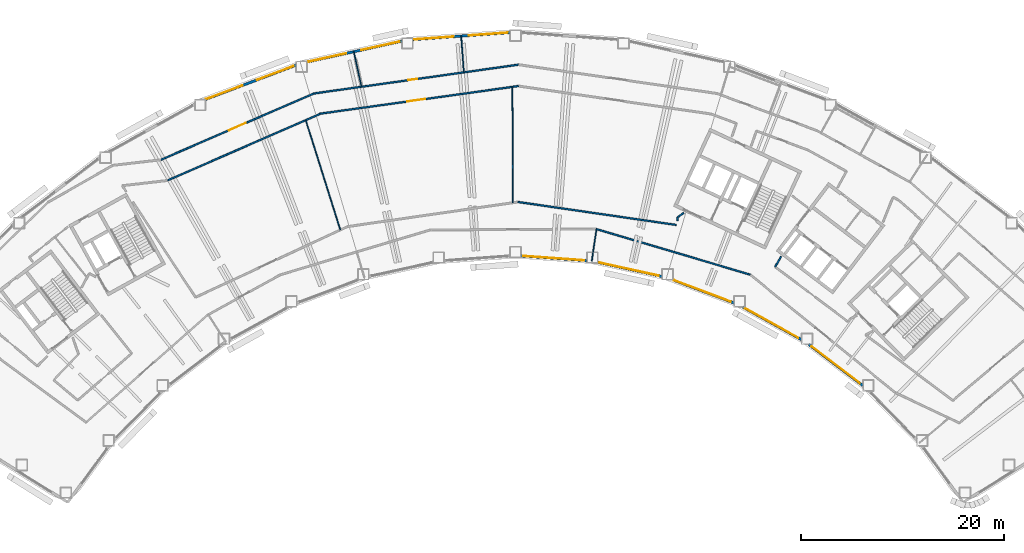
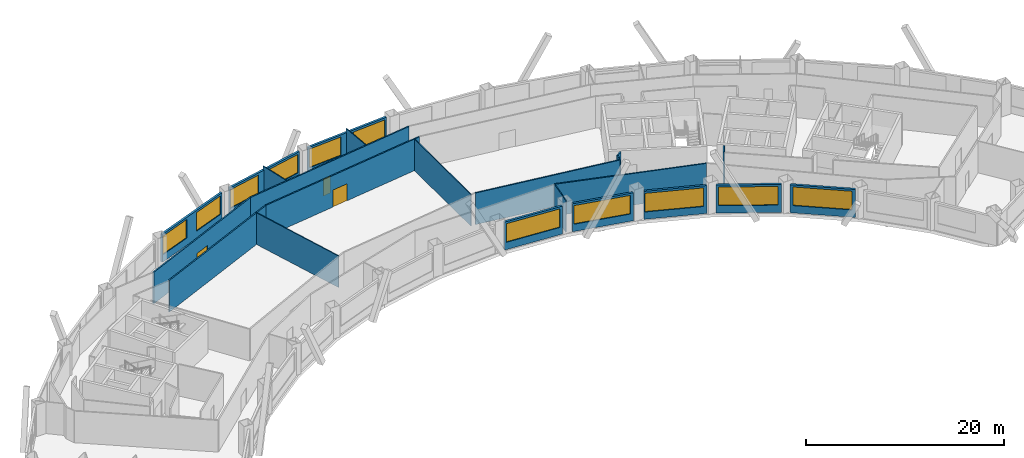
# One storey, part 5 of 11: 22 walls, 11 windows, 3 doors, 14 openings.
"""IFC4 building model written with IfcOpenShell, lengths in metres."""

from ifc_helpers import new_model, si_unit, direction, frame, frame_2d, origin, place, context, subcontext, project, spatial, rectangle, extrude, material, layer, layer_set, type_object, element, fill, save


model = new_model("IFC4")

# Units and contexts
model_context = context("Model", 3, precision=1e-05, world=origin(), true_north=direction((0.0, 1.0)))
body_context = subcontext(model_context, "Body", "Model", "MODEL_VIEW")
ifc_project = project(units=[si_unit("LENGTHUNIT", "METRE"), si_unit("AREAUNIT", "SQUARE_METRE"), si_unit("VOLUMEUNIT", "CUBIC_METRE"), si_unit("PLANEANGLEUNIT", "RADIAN"), si_unit("MASSUNIT", "GRAM", prefix="KILO")], contexts=[model_context])

# Site, building, storey
site_placement = place(None, origin())
site = spatial("IfcSite", under=ifc_project, at=site_placement, CompositionType="ELEMENT")
building_placement = place(site_placement, origin())
building = spatial("IfcBuilding", under=site, at=building_placement, Name="Tuul Gate Civic Tower", CompositionType="ELEMENT")
storey_placement = place(building_placement, frame((0.0, 0.0, 99.300048828125)))
storey = spatial("IfcBuildingStorey", under=building, at=storey_placement, Name="Level 22", CompositionType="ELEMENT", Elevation=99.300048828125)

# Wall, opening, door
ifc_material_1 = material(Name="Gypsum board partition")
ifc_layer_1 = layer(ifc_material_1, 0.14990234375)
ifc_layer_set_1 = layer_set([ifc_layer_1], Name="Gypsum board partition")
wall_type_1 = type_object("IfcWallType", Name="Corridor wall P150", PredefinedType="PARTITIONING", material=ifc_layer_set_1)
wall_1_placement = place(storey_placement, frame((-10.03125, 7.966796875, 0.0), z_axis=(0.0, 0.0, 1.0), x_axis=(0.990230655187, 0.139439053098, 0.0)))
wall_1 = element("IfcWall", 1, at=wall_1_placement, inside=storey, type_object=wall_type_1, Name="p013", PredefinedType="PARTITIONING", context=body_context, shape_type="SweptSolid", body=[
    extrude(rectangle(XDim=20.3662109375, YDim=0.14990234375, at=frame_2d((10.18310546875, 0.0))), origin(), (0.0, 0.0, 1.0), 3.89990234375),
])
opening_1_placement = place(wall_1_placement, frame((9.3759765625, 0.0, 0.0)))
opening_1 = element("IfcOpeningElement", 2, at=opening_1_placement, cuts=wall_1, Name="Opening G-D06", PredefinedType="OPENING", context=body_context, shape_type="SweptSolid", body=[
    extrude(rectangle(XDim=0.89990234375, YDim=2.10009765625, at=frame_2d((0.449951171875, 1.050048828125))), frame((0.0, 0.0849609375, 0.0), z_axis=(0.0, -1.0, 0.0), x_axis=(1.0, 0.0, 0.0)), (0.0, 0.0, 1.0), 0.169921875),
])
ifc_material_2 = material(Name="Timber door leaf", Category="wood")
door_type_1 = type_object("IfcDoorType", Name="Door D09", OperationType="NOTDEFINED", PredefinedType="DOOR", material=ifc_material_2)
door_1_placement = place(opening_1_placement, origin())
door_1 = element("IfcDoor", 3, at=door_1_placement, inside=storey, type_object=door_type_1, Name="Door G-D06", OperationType="SINGLE_SWING_RIGHT", OverallHeight=2.10009765625, OverallWidth=0.89990234375, PredefinedType="DOOR", context=body_context, shape_type="SweptSolid", body=[
    extrude(rectangle(XDim=0.89990234375, YDim=2.10009765625, at=frame_2d((0.449951171875, 1.050048828125))), frame((0.0, 0.02490234375, 0.0), z_axis=(0.0, -1.0, 0.0), x_axis=(1.0, 0.0, 0.0)), (0.0, 0.0, 1.0), 0.050048828125),
])
fill(opening_1, door_1)

wall_2_placement = place(storey_placement, frame((-25.114013671875, 1.4306640625, 0.0), z_axis=(0.0, 0.0, 1.0), x_axis=(0.917549664904, 0.397621192134, 0.0)))
wall_2 = element("IfcWall", 4, at=wall_2_placement, inside=storey, type_object=wall_type_1, Name="p018", PredefinedType="PARTITIONING", context=body_context, shape_type="SweptSolid", body=[
    extrude(rectangle(XDim=16.43798828125, YDim=0.14990234375, at=frame_2d((8.218994140625, 0.0))), origin(), (0.0, 0.0, 1.0), 3.89990234375),
])
opening_2_placement = place(wall_2_placement, frame((7.319091796875, 0.0, 0.0)))
opening_2 = element("IfcOpeningElement", 5, at=opening_2_placement, cuts=wall_2, Name="Opening G-D07", PredefinedType="OPENING", context=body_context, shape_type="SweptSolid", body=[
    extrude(rectangle(XDim=1.800048828125, YDim=2.10009765625, at=frame_2d((0.89990234375, 1.050048828125))), frame((0.0, 0.0849609375, 0.0), z_axis=(0.0, -1.0, 0.0), x_axis=(1.0, 0.0, 0.0)), (0.0, 0.0, 1.0), 0.169921875),
])
ifc_material_3 = material(Name="Timber door leaf, double", Category="wood")
door_type_2 = type_object("IfcDoorType", Name="Door D18", OperationType="DOUBLE_DOOR_SINGLE_SWING", PredefinedType="DOOR", material=ifc_material_3)
door_2_placement = place(opening_2_placement, origin())
door_2 = element("IfcDoor", 6, at=door_2_placement, inside=storey, type_object=door_type_2, Name="Door G-D07", OperationType="DOUBLE_DOOR_SINGLE_SWING", OverallHeight=2.10009765625, OverallWidth=1.800048828125, PredefinedType="DOOR", context=body_context, shape_type="SweptSolid", body=[
    extrude(rectangle(XDim=1.800048828125, YDim=2.10009765625, at=frame_2d((0.89990234375, 1.050048828125))), frame((0.0, 0.02490234375, 0.0), z_axis=(0.0, -1.0, 0.0), x_axis=(1.0, 0.0, 0.0)), (0.0, 0.0, 1.0), 0.050048828125),
])
fill(opening_2, door_2)

# Walls
wall_3_placement = place(storey_placement, frame((17.774658203125, -5.38818359375, 0.0), z_axis=(0.0, 0.0, 1.0), x_axis=(0.958822841895, -0.284004855346, 0.0)))
element("IfcWall", 7, at=wall_3_placement, inside=storey, type_object=wall_type_1, Name="p028", PredefinedType="PARTITIONING", context=body_context, shape_type="SweptSolid", body=[
    extrude(rectangle(XDim=15.833740234375, YDim=0.14990234375, at=frame_2d((7.9169921875, 0.0))), origin(), (0.0, 0.0, 1.0), 3.89990234375),
])
wall_4_placement = place(storey_placement, frame((35.427490234375, -9.109375, 0.0), z_axis=(0.0, 0.0, 1.0), x_axis=(0.500944847429, 0.865479208205, 0.0)))
element("IfcWall", 8, at=wall_4_placement, inside=storey, type_object=wall_type_1, Name="p052", PredefinedType="PARTITIONING", context=body_context, shape_type="SweptSolid", body=[
    extrude(rectangle(XDim=1.157958984375, YDim=0.14990234375, at=frame_2d((0.5791015625, 0.0))), origin(), (0.0, 0.0, 1.0), 3.89990234375),
])

# Wall, opening, door
wall_5_placement = place(storey_placement, frame((-9.43798828125, 5.972412109375, 0.0), z_axis=(0.0, 0.0, 1.0), x_axis=(0.990422425741, 0.138070339284, 0.0)))
wall_5 = element("IfcWall", 9, at=wall_5_placement, inside=storey, type_object=wall_type_1, Name="p063", PredefinedType="PARTITIONING", context=body_context, shape_type="SweptSolid", body=[
    extrude(rectangle(XDim=19.76171875, YDim=0.14990234375, at=frame_2d((9.880859375, 0.0))), origin(), (0.0, 0.0, 1.0), 3.89990234375),
])
opening_3_placement = place(wall_5_placement, frame((8.675048828125, 0.0, 0.0)))
opening_3 = element("IfcOpeningElement", 10, at=opening_3_placement, cuts=wall_5, Name="Opening G-D18", PredefinedType="OPENING", context=body_context, shape_type="SweptSolid", body=[
    extrude(rectangle(XDim=1.800048828125, YDim=2.10009765625, at=frame_2d((0.89990234375, 1.050048828125))), frame((0.0, 0.0849609375, 0.0), z_axis=(0.0, -1.0, 0.0), x_axis=(1.0, 0.0, 0.0)), (0.0, 0.0, 1.0), 0.169921875),
])
door_3_placement = place(opening_3_placement, frame((1.800048828125, 0.0, 0.0), z_axis=(0.0, 0.0, 1.0), x_axis=(-1.0, 0.0, 0.0)))
door_3 = element("IfcDoor", 11, at=door_3_placement, inside=storey, type_object=door_type_2, Name="Door G-D18", OperationType="DOUBLE_DOOR_SINGLE_SWING", OverallHeight=2.10009765625, OverallWidth=1.800048828125, PredefinedType="DOOR", context=body_context, shape_type="SweptSolid", body=[
    extrude(rectangle(XDim=1.800048828125, YDim=2.10009765625, at=frame_2d((0.900146484375, 1.050048828125))), frame((0.0, 0.02490234375, 0.0), z_axis=(0.0, -1.0, 0.0), x_axis=(1.0, 0.0, 0.0)), (0.0, 0.0, 1.0), 0.050048828125),
])
fill(opening_3, door_3)

# Walls
wall_6_placement = place(storey_placement, frame((25.815673828125, -4.220703125, 0.0), z_axis=(0.0, 0.0, 1.0), x_axis=(0.823771765615, 0.566921580269, 0.0)))
element("IfcWall", 12, at=wall_6_placement, inside=storey, type_object=wall_type_1, Name="p066", PredefinedType="PARTITIONING", context=body_context, shape_type="SweptSolid", body=[
    extrude(rectangle(XDim=0.738525390625, YDim=0.14990234375, at=frame_2d((0.369140625, 0.0))), origin(), (0.0, 0.0, 1.0), 3.89990234375),
])
wall_7_placement = place(storey_placement, frame((25.77783203125, -4.591064453125, 0.0), z_axis=(0.0, 0.0, 1.0), x_axis=(0.101646140931, 0.994820618018, 0.0)))
element("IfcWall", 13, at=wall_7_placement, inside=storey, type_object=wall_type_1, Name="p067", PredefinedType="PARTITIONING", context=body_context, shape_type="SweptSolid", body=[
    extrude(rectangle(XDim=0.372314453125, YDim=0.14990234375, at=frame_2d((0.18603515625, 0.0))), origin(), (0.0, 0.0, 1.0), 3.89990234375),
])
wall_8_placement = place(storey_placement, frame((10.072998046875, -2.72412109375, 0.0), z_axis=(0.0, 0.0, 1.0), x_axis=(0.989619242557, -0.14371414252, 0.0)))
element("IfcWall", 14, at=wall_8_placement, inside=storey, type_object=wall_type_1, Name="p068", PredefinedType="PARTITIONING", context=body_context, shape_type="SweptSolid", body=[
    extrude(rectangle(XDim=15.754638671875, YDim=0.14990234375, at=frame_2d((7.87744140625, 0.0))), origin(), (0.0, 0.0, 1.0), 3.89990234375),
])
wall_9_placement = place(storey_placement, frame((-24.46728515625, -0.602294921875, 0.0), z_axis=(0.0, 0.0, 1.0), x_axis=(0.916758742083, 0.399441370935, 0.0)))
element("IfcWall", 15, at=wall_9_placement, inside=storey, type_object=wall_type_1, Name="p071", PredefinedType="PARTITIONING", context=body_context, shape_type="SweptSolid", body=[
    extrude(rectangle(XDim=16.3974609375, YDim=0.14990234375, at=frame_2d((8.19873046875, 0.0))), origin(), (0.0, 0.0, 1.0), 3.89990234375),
])

# Wall, openings, windows
ifc_material_4 = material(Name="Precast concrete C40/50", Category="concrete")
ifc_layer_2 = layer(ifc_material_4, 0.25)
ifc_layer_set_2 = layer_set([ifc_layer_2], Name="Precast concrete C40/50")
wall_type_2 = type_object("IfcWallType", Name="External wall", PredefinedType="STANDARD", material=ifc_layer_set_2)
wall_10_placement = place(storey_placement, frame((9.279052734375, 13.972900390625, 0.0), z_axis=(0.0, 0.0, 1.0), x_axis=(-0.99738031898, -0.072336016692, 0.0)))
wall_10 = element("IfcWall", 16, at=wall_10_placement, inside=storey, type_object=wall_type_2, Name="External wall", PredefinedType="STANDARD", context=body_context, shape_type="SweptSolid", body=[
    extrude(rectangle(XDim=9.5751953125, YDim=0.25, at=frame_2d((4.78759765625, 0.0))), origin(), (0.0, 0.0, 1.0), 3.449951171875),
])
opening_4_placement = place(wall_10_placement, frame((0.2001953125, 0.0, 0.89990234375)))
opening_4 = element("IfcOpeningElement", 17, at=opening_4_placement, cuts=wall_10, Name="Opening W22", PredefinedType="OPENING", context=body_context, shape_type="SweptSolid", body=[
    extrude(rectangle(XDim=3.85009765625, YDim=2.300048828125, at=frame_2d((1.925048828125, 1.14990234375))), frame((0.0, 0.135009765625, 0.0), z_axis=(0.0, -1.0, 0.0), x_axis=(1.0, 0.0, 0.0)), (0.0, 0.0, 1.0), 0.27001953125),
])
opening_5_placement = place(wall_10_placement, frame((5.57177734375, 0.0, 0.89990234375)))
opening_5 = element("IfcOpeningElement", 18, at=opening_5_placement, cuts=wall_10, Name="Opening W22", PredefinedType="OPENING", context=body_context, shape_type="SweptSolid", body=[
    extrude(rectangle(XDim=3.85009765625, YDim=2.300048828125, at=frame_2d((1.925048828125, 1.14990234375))), frame((0.0, 0.135009765625, 0.0), z_axis=(0.0, -1.0, 0.0), x_axis=(1.0, 0.0, 0.0)), (0.0, 0.0, 1.0), 0.27001953125),
])
ifc_material_5 = material(Name="Glass", Category="glass")
window_type_1 = type_object("IfcWindowType", Name="Window W22 3850 x 2300", PartitioningType="SINGLE_PANEL", PredefinedType="WINDOW", material=ifc_material_5)
window_1_placement = place(opening_4_placement, origin())
window_1 = element("IfcWindow", 19, at=window_1_placement, inside=storey, type_object=window_type_1, Name="Window", OverallHeight=2.300048828125, OverallWidth=3.85009765625, PartitioningType="SINGLE_PANEL", PredefinedType="WINDOW", context=body_context, shape_type="SweptSolid", body=[
    extrude(rectangle(XDim=3.85009765625, YDim=2.300048828125, at=frame_2d((1.925048828125, 1.14990234375))), frame((0.0, 0.030029296875, 0.0), z_axis=(0.0, -1.0, 0.0), x_axis=(1.0, 0.0, 0.0)), (0.0, 0.0, 1.0), 0.06005859375),
])
fill(opening_4, window_1)
window_2_placement = place(opening_5_placement, origin())
window_2 = element("IfcWindow", 20, at=window_2_placement, inside=storey, type_object=window_type_1, Name="Window", OverallHeight=2.300048828125, OverallWidth=3.85009765625, PartitioningType="SINGLE_PANEL", PredefinedType="WINDOW", context=body_context, shape_type="SweptSolid", body=[
    extrude(rectangle(XDim=3.85009765625, YDim=2.300048828125, at=frame_2d((1.925048828125, 1.14990234375))), frame((0.0, 0.030029296875, 0.0), z_axis=(0.0, -1.0, 0.0), x_axis=(1.0, 0.0, 0.0)), (0.0, 0.0, 1.0), 0.06005859375),
])
fill(opening_5, window_2)

wall_11_placement = place(storey_placement, frame((-1.37109375, 13.126220703125, 0.0), z_axis=(0.0, 0.0, 1.0), x_axis=(-0.976556736289, -0.215260170047, 0.0)))
wall_11 = element("IfcWall", 21, at=wall_11_placement, inside=storey, type_object=wall_type_2, Name="External wall", PredefinedType="STANDARD", context=body_context, shape_type="SweptSolid", body=[
    extrude(rectangle(XDim=9.55078125, YDim=0.25, at=frame_2d((4.775390625, 0.0))), origin(), (0.0, 0.0, 1.0), 3.449951171875),
])
opening_6_placement = place(wall_11_placement, frame((0.236328125, 0.0, 0.89990234375)))
opening_6 = element("IfcOpeningElement", 22, at=opening_6_placement, cuts=wall_11, Name="Opening W22", PredefinedType="OPENING", context=body_context, shape_type="SweptSolid", body=[
    extrude(rectangle(XDim=3.85009765625, YDim=2.300048828125, at=frame_2d((1.925048828125, 1.14990234375))), frame((0.0, 0.135009765625, 0.0), z_axis=(0.0, -1.0, 0.0), x_axis=(1.0, 0.0, 0.0)), (0.0, 0.0, 1.0), 0.27001953125),
])
opening_7_placement = place(wall_11_placement, frame((5.607177734375, 0.0, 0.89990234375)))
opening_7 = element("IfcOpeningElement", 23, at=opening_7_placement, cuts=wall_11, Name="Opening W22", PredefinedType="OPENING", context=body_context, shape_type="SweptSolid", body=[
    extrude(rectangle(XDim=3.85009765625, YDim=2.300048828125, at=frame_2d((1.925048828125, 1.14990234375))), frame((0.0, 0.135009765625, 0.0), z_axis=(0.0, -1.0, 0.0), x_axis=(1.0, 0.0, 0.0)), (0.0, 0.0, 1.0), 0.27001953125),
])
window_3_placement = place(opening_6_placement, origin())
window_3 = element("IfcWindow", 24, at=window_3_placement, inside=storey, type_object=window_type_1, Name="Window", OverallHeight=2.300048828125, OverallWidth=3.85009765625, PartitioningType="SINGLE_PANEL", PredefinedType="WINDOW", context=body_context, shape_type="SweptSolid", body=[
    extrude(rectangle(XDim=3.85009765625, YDim=2.300048828125, at=frame_2d((1.925048828125, 1.14990234375))), frame((0.0, 0.030029296875, 0.0), z_axis=(0.0, -1.0, 0.0), x_axis=(1.0, 0.0, 0.0)), (0.0, 0.0, 1.0), 0.06005859375),
])
fill(opening_6, window_3)
window_4_placement = place(opening_7_placement, origin())
window_4 = element("IfcWindow", 25, at=window_4_placement, inside=storey, type_object=window_type_1, Name="Window", OverallHeight=2.300048828125, OverallWidth=3.85009765625, PartitioningType="SINGLE_PANEL", PredefinedType="WINDOW", context=body_context, shape_type="SweptSolid", body=[
    extrude(rectangle(XDim=3.85009765625, YDim=2.300048828125, at=frame_2d((1.925048828125, 1.14990234375))), frame((0.0, 0.030029296875, 0.0), z_axis=(0.0, -1.0, 0.0), x_axis=(1.0, 0.0, 0.0)), (0.0, 0.0, 1.0), 0.06005859375),
])
fill(opening_7, window_4)

wall_12_placement = place(storey_placement, frame((-11.798095703125, 10.755859375, 0.0), z_axis=(0.0, 0.0, 1.0), x_axis=(-0.935382365762, -0.353637992617, 0.0)))
wall_12 = element("IfcWall", 26, at=wall_12_placement, inside=storey, type_object=wall_type_2, Name="External wall", PredefinedType="STANDARD", context=body_context, shape_type="SweptSolid", body=[
    extrude(rectangle(XDim=9.51806640625, YDim=0.25, at=frame_2d((4.759033203125, 0.0))), origin(), (0.0, 0.0, 1.0), 3.449951171875),
])
opening_8_placement = place(wall_12_placement, frame((0.262451171875, 0.0, 0.89990234375)))
opening_8 = element("IfcOpeningElement", 27, at=opening_8_placement, cuts=wall_12, Name="Opening W22", PredefinedType="OPENING", context=body_context, shape_type="SweptSolid", body=[
    extrude(rectangle(XDim=3.85009765625, YDim=2.300048828125, at=frame_2d((1.925048828125, 1.14990234375))), frame((0.0, 0.135009765625, 0.0), z_axis=(0.0, -1.0, 0.0), x_axis=(1.0, 0.0, 0.0)), (0.0, 0.0, 1.0), 0.27001953125),
])
opening_9_placement = place(wall_12_placement, frame((5.634033203125, 0.0, 0.89990234375)))
opening_9 = element("IfcOpeningElement", 28, at=opening_9_placement, cuts=wall_12, Name="Opening W22", PredefinedType="OPENING", context=body_context, shape_type="SweptSolid", body=[
    extrude(rectangle(XDim=3.85009765625, YDim=2.300048828125, at=frame_2d((1.925048828125, 1.14990234375))), frame((0.0, 0.135009765625, 0.0), z_axis=(0.0, -1.0, 0.0), x_axis=(1.0, 0.0, 0.0)), (0.0, 0.0, 1.0), 0.27001953125),
])
window_5_placement = place(opening_8_placement, origin())
window_5 = element("IfcWindow", 29, at=window_5_placement, inside=storey, type_object=window_type_1, Name="Window", OverallHeight=2.300048828125, OverallWidth=3.85009765625, PartitioningType="SINGLE_PANEL", PredefinedType="WINDOW", context=body_context, shape_type="SweptSolid", body=[
    extrude(rectangle(XDim=3.85009765625, YDim=2.300048828125, at=frame_2d((1.925048828125, 1.14990234375))), frame((0.0, 0.030029296875, 0.0), z_axis=(0.0, -1.0, 0.0), x_axis=(1.0, 0.0, 0.0)), (0.0, 0.0, 1.0), 0.06005859375),
])
fill(opening_8, window_5)
window_6_placement = place(opening_9_placement, origin())
window_6 = element("IfcWindow", 30, at=window_6_placement, inside=storey, type_object=window_type_1, Name="Window", OverallHeight=2.300048828125, OverallWidth=3.85009765625, PartitioningType="SINGLE_PANEL", PredefinedType="WINDOW", context=body_context, shape_type="SweptSolid", body=[
    extrude(rectangle(XDim=3.85009765625, YDim=2.300048828125, at=frame_2d((1.925048828125, 1.14990234375))), frame((0.0, 0.030029296875, 0.0), z_axis=(0.0, -1.0, 0.0), x_axis=(1.0, 0.0, 0.0)), (0.0, 0.0, 1.0), 0.06005859375),
])
fill(opening_9, window_6)

# Wall, opening, window
wall_13_placement = place(storey_placement, frame((10.37890625, -8.035400390625, 0.0), z_axis=(0.0, 0.0, 1.0), x_axis=(0.997392965156, -0.072161437464, 0.0)))
wall_13 = element("IfcWall", 31, at=wall_13_placement, inside=storey, type_object=wall_type_2, Name="External wall", PredefinedType="STANDARD", context=body_context, shape_type="SweptSolid", body=[
    extrude(rectangle(XDim=6.489013671875, YDim=0.25, at=frame_2d((3.24462890625, 0.0))), origin(), (0.0, 0.0, 1.0), 3.449951171875),
])
opening_10_placement = place(wall_13_placement, frame((0.220947265625, 0.0, 0.89990234375)))
opening_10 = element("IfcOpeningElement", 32, at=opening_10_placement, cuts=wall_13, Name="Opening W26", PredefinedType="OPENING", context=body_context, shape_type="SweptSolid", body=[
    extrude(rectangle(XDim=6.0, YDim=2.300048828125, at=frame_2d((3.0, 1.14990234375))), frame((0.0, 0.135009765625, 0.0), z_axis=(0.0, -1.0, 0.0), x_axis=(1.0, 0.0, 0.0)), (0.0, 0.0, 1.0), 0.27001953125),
])
ifc_material_6 = material(Name="Glass", Category="glass")
window_type_2 = type_object("IfcWindowType", Name="Window W26 6000 x 2300", PartitioningType="SINGLE_PANEL", PredefinedType="WINDOW", material=ifc_material_6)
window_7_placement = place(opening_10_placement, origin())
window_7 = element("IfcWindow", 33, at=window_7_placement, inside=storey, type_object=window_type_2, Name="Window", OverallHeight=2.300048828125, OverallWidth=6.0, PartitioningType="SINGLE_PANEL", PredefinedType="WINDOW", context=body_context, shape_type="SweptSolid", body=[
    extrude(rectangle(XDim=6.0, YDim=2.300048828125, at=frame_2d((3.0, 1.14990234375))), frame((0.0, 0.030029296875, 0.0), z_axis=(0.0, -1.0, 0.0), x_axis=(1.0, 0.0, 0.0)), (0.0, 0.0, 1.0), 0.06005859375),
])
fill(opening_10, window_7)

wall_14_placement = place(storey_placement, frame((17.950927734375, -8.671630859375, 0.0), z_axis=(0.0, 0.0, 1.0), x_axis=(0.976562304854, -0.215234905949, 0.0)))
wall_14 = element("IfcWall", 34, at=wall_14_placement, inside=storey, type_object=wall_type_2, Name="External wall", PredefinedType="STANDARD", context=body_context, shape_type="SweptSolid", body=[
    extrude(rectangle(XDim=6.465576171875, YDim=0.25, at=frame_2d((3.23291015625, 0.0))), origin(), (0.0, 0.0, 1.0), 3.449951171875),
])
opening_11_placement = place(wall_14_placement, frame((0.160888671875, 0.0, 0.89990234375)))
opening_11 = element("IfcOpeningElement", 35, at=opening_11_placement, cuts=wall_14, Name="Opening W26", PredefinedType="OPENING", context=body_context, shape_type="SweptSolid", body=[
    extrude(rectangle(XDim=6.0, YDim=2.300048828125, at=frame_2d((3.0, 1.14990234375))), frame((0.0, 0.135009765625, 0.0), z_axis=(0.0, -1.0, 0.0), x_axis=(1.0, 0.0, 0.0)), (0.0, 0.0, 1.0), 0.27001953125),
])
window_8_placement = place(opening_11_placement, origin())
window_8 = element("IfcWindow", 36, at=window_8_placement, inside=storey, type_object=window_type_2, Name="Window", OverallHeight=2.300048828125, OverallWidth=6.0, PartitioningType="SINGLE_PANEL", PredefinedType="WINDOW", context=body_context, shape_type="SweptSolid", body=[
    extrude(rectangle(XDim=6.0, YDim=2.300048828125, at=frame_2d((3.0, 1.14990234375))), frame((0.0, 0.030029296875, 0.0), z_axis=(0.0, -1.0, 0.0), x_axis=(1.0, 0.0, 0.0)), (0.0, 0.0, 1.0), 0.06005859375),
])
fill(opening_11, window_8)

wall_15_placement = place(storey_placement, frame((25.3515625, -10.402099609375, 0.0), z_axis=(0.0, 0.0, 1.0), x_axis=(0.93537217804, -0.353664938252, 0.0)))
wall_15 = element("IfcWall", 37, at=wall_15_placement, inside=storey, type_object=wall_type_2, Name="External wall", PredefinedType="STANDARD", context=body_context, shape_type="SweptSolid", body=[
    extrude(rectangle(XDim=6.428955078125, YDim=0.25, at=frame_2d((3.21435546875, 0.0))), origin(), (0.0, 0.0, 1.0), 3.449951171875),
])
opening_12_placement = place(wall_15_placement, frame((0.09912109375, 0.0, 0.89990234375)))
opening_12 = element("IfcOpeningElement", 38, at=opening_12_placement, cuts=wall_15, Name="Opening W26", PredefinedType="OPENING", context=body_context, shape_type="SweptSolid", body=[
    extrude(rectangle(XDim=6.0, YDim=2.300048828125, at=frame_2d((3.0, 1.14990234375))), frame((0.0, 0.135009765625, 0.0), z_axis=(0.0, -1.0, 0.0), x_axis=(1.0, 0.0, 0.0)), (0.0, 0.0, 1.0), 0.27001953125),
])
window_9_placement = place(opening_12_placement, origin())
window_9 = element("IfcWindow", 39, at=window_9_placement, inside=storey, type_object=window_type_2, Name="Window", OverallHeight=2.300048828125, OverallWidth=6.0, PartitioningType="SINGLE_PANEL", PredefinedType="WINDOW", context=body_context, shape_type="SweptSolid", body=[
    extrude(rectangle(XDim=6.0, YDim=2.300048828125, at=frame_2d((3.0, 1.14990234375))), frame((0.0, 0.030029296875, 0.0), z_axis=(0.0, -1.0, 0.0), x_axis=(1.0, 0.0, 0.0)), (0.0, 0.0, 1.0), 0.06005859375),
])
fill(opening_12, window_9)

wall_16_placement = place(storey_placement, frame((32.23828125, -13.0869140625, 0.0), z_axis=(0.0, 0.0, 1.0), x_axis=(0.87460054833, -0.484844182042, 0.0)))
wall_16 = element("IfcWall", 40, at=wall_16_placement, inside=storey, type_object=wall_type_2, Name="External wall", PredefinedType="STANDARD", context=body_context, shape_type="SweptSolid", body=[
    extrude(rectangle(XDim=6.593505859375, YDim=0.25, at=frame_2d((3.296875, 0.0))), origin(), (0.0, 0.0, 1.0), 3.449951171875),
])
opening_13_placement = place(wall_16_placement, frame((0.2470703125, 0.0, 0.89990234375)))
opening_13 = element("IfcOpeningElement", 41, at=opening_13_placement, cuts=wall_16, Name="Opening W26", PredefinedType="OPENING", context=body_context, shape_type="SweptSolid", body=[
    extrude(rectangle(XDim=6.0, YDim=2.300048828125, at=frame_2d((3.0, 1.14990234375))), frame((0.0, 0.135009765625, 0.0), z_axis=(0.0, -1.0, 0.0), x_axis=(1.0, 0.0, 0.0)), (0.0, 0.0, 1.0), 0.27001953125),
])
window_10_placement = place(opening_13_placement, origin())
window_10 = element("IfcWindow", 42, at=window_10_placement, inside=storey, type_object=window_type_2, Name="Window", OverallHeight=2.300048828125, OverallWidth=6.0, PartitioningType="SINGLE_PANEL", PredefinedType="WINDOW", context=body_context, shape_type="SweptSolid", body=[
    extrude(rectangle(XDim=6.0, YDim=2.300048828125, at=frame_2d((3.0, 1.14990234375))), frame((0.0, 0.030029296875, 0.0), z_axis=(0.0, -1.0, 0.0), x_axis=(1.0, 0.0, 0.0)), (0.0, 0.0, 1.0), 0.06005859375),
])
fill(opening_13, window_10)

wall_17_placement = place(storey_placement, frame((38.74267578125, -16.76806640625, 0.0), z_axis=(0.0, 0.0, 1.0), x_axis=(0.795574625886, -0.605855605442, 0.0)))
wall_17 = element("IfcWall", 43, at=wall_17_placement, inside=storey, type_object=wall_type_2, Name="External wall", PredefinedType="STANDARD", context=body_context, shape_type="SweptSolid", body=[
    extrude(rectangle(XDim=6.666015625, YDim=0.25, at=frame_2d((3.3330078125, 0.0))), origin(), (0.0, 0.0, 1.0), 3.449951171875),
])
opening_14_placement = place(wall_17_placement, frame((0.313232421875, 0.0, 0.89990234375)))
opening_14 = element("IfcOpeningElement", 44, at=opening_14_placement, cuts=wall_17, Name="Opening W26", PredefinedType="OPENING", context=body_context, shape_type="SweptSolid", body=[
    extrude(rectangle(XDim=6.0, YDim=2.300048828125, at=frame_2d((3.0, 1.14990234375))), frame((0.0, 0.135009765625, 0.0), z_axis=(0.0, -1.0, 0.0), x_axis=(1.0, 0.0, 0.0)), (0.0, 0.0, 1.0), 0.27001953125),
])
window_11_placement = place(opening_14_placement, origin())
window_11 = element("IfcWindow", 45, at=window_11_placement, inside=storey, type_object=window_type_2, Name="Window", OverallHeight=2.300048828125, OverallWidth=6.0, PartitioningType="SINGLE_PANEL", PredefinedType="WINDOW", context=body_context, shape_type="SweptSolid", body=[
    extrude(rectangle(XDim=6.0, YDim=2.300048828125, at=frame_2d((3.0, 1.14990234375))), frame((0.0, 0.030029296875, 0.0), z_axis=(0.0, -1.0, 0.0), x_axis=(1.0, 0.0, 0.0)), (0.0, 0.0, 1.0), 0.06005859375),
])
fill(opening_14, window_11)

# Walls
ifc_material_7 = material(Name="Gypsum board partition")
ifc_layer_3 = layer(ifc_material_7, 0.10009765625)
ifc_layer_set_3 = layer_set([ifc_layer_3], Name="Gypsum board partition")
wall_type_3 = type_object("IfcWallType", Name="Partition P100", PredefinedType="PARTITIONING", material=ifc_layer_set_3)
wall_18_placement = place(storey_placement, frame((4.480224609375, 13.6298828125, 0.0), z_axis=(0.0, 0.0, 1.0), x_axis=(0.072237031078, -0.997387493074, 0.0)))
element("IfcWall", 46, at=wall_18_placement, inside=storey, type_object=wall_type_3, Name="p012", PredefinedType="PARTITIONING", context=body_context, shape_type="SweptSolid", body=[
    extrude(rectangle(XDim=3.592529296875, YDim=0.10009765625, at=frame_2d((1.79638671875, 0.0))), origin(), (0.0, 0.0, 1.0), 3.89990234375),
])
wall_19_placement = place(storey_placement, frame((-6.105224609375, 12.087890625, 0.0), z_axis=(0.0, 0.0, 1.0), x_axis=(0.215274407, -0.976553597961, 0.0)))
element("IfcWall", 47, at=wall_19_placement, inside=storey, type_object=wall_type_3, Name="p015", PredefinedType="PARTITIONING", context=body_context, shape_type="SweptSolid", body=[
    extrude(rectangle(XDim=3.5439453125, YDim=0.10009765625, at=frame_2d((1.77197265625, 0.0))), origin(), (0.0, 0.0, 1.0), 3.89990234375),
])
wall_20_placement = place(storey_placement, frame((17.35302734375, -8.544921875, 0.0), z_axis=(0.0, 0.0, 1.0), x_axis=(0.144140837574, 0.989557183261, 0.0)))
element("IfcWall", 48, at=wall_20_placement, inside=storey, type_object=wall_type_3, Name="p027", PredefinedType="PARTITIONING", context=body_context, shape_type="SweptSolid", body=[
    extrude(rectangle(XDim=3.17919921875, YDim=0.10009765625, at=frame_2d((1.589599609375, 0.0))), origin(), (0.0, 0.0, 1.0), 3.89990234375),
])
wall_21_placement = place(storey_placement, frame((9.528564453125, 8.616455078125, 0.0), z_axis=(0.0, 0.0, 1.0), x_axis=(0.004364061555, -0.999990477438, 0.0)))
element("IfcWall", 49, at=wall_21_placement, inside=storey, type_object=wall_type_3, Name="p062", PredefinedType="PARTITIONING", context=body_context, shape_type="SweptSolid", body=[
    extrude(rectangle(XDim=11.412353515625, YDim=0.10009765625, at=frame_2d((5.7060546875, 0.0))), origin(), (0.0, 0.0, 1.0), 3.89990234375),
])
wall_22_placement = place(storey_placement, frame((-10.83837890625, 5.3359375, 0.0), z_axis=(0.0, 0.0, 1.0), x_axis=(0.300704788197, -0.953717269611, 0.0)))
element("IfcWall", 50, at=wall_22_placement, inside=storey, type_object=wall_type_3, Name="p070", PredefinedType="PARTITIONING", context=body_context, shape_type="SweptSolid", body=[
    extrude(rectangle(XDim=11.340576171875, YDim=0.10009765625, at=frame_2d((5.67041015625, 0.0))), origin(), (0.0, 0.0, 1.0), 3.89990234375),
])

save(model, "model.ifc")
